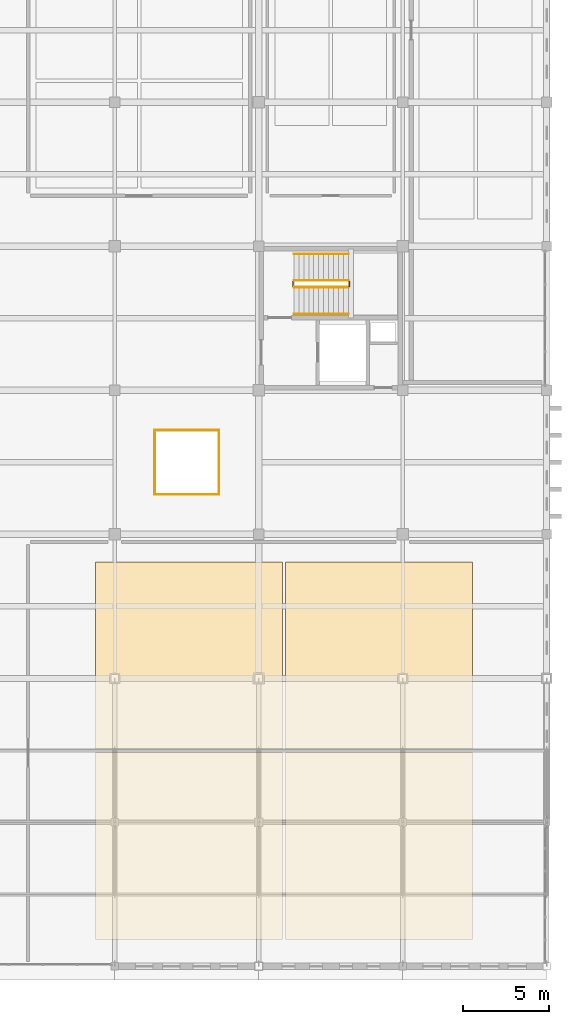
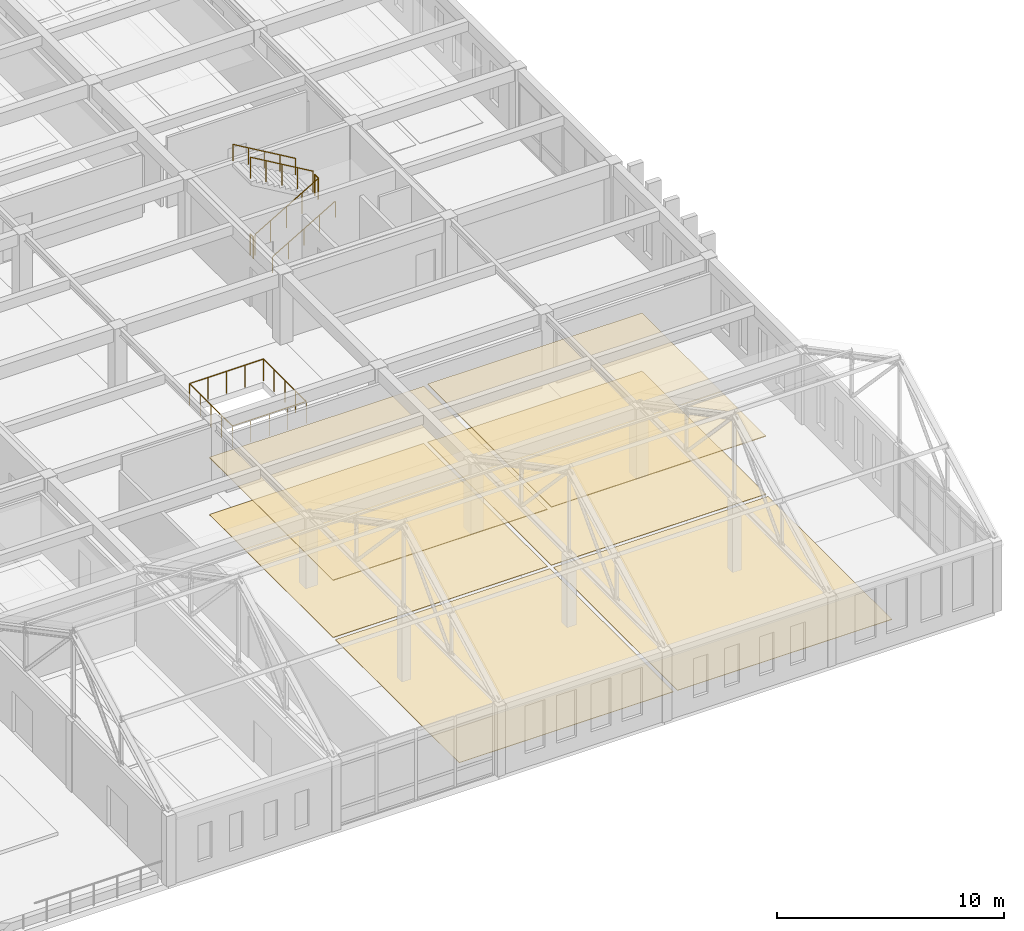
# One storey, part 43 of 47: 10 railings, 6 coverings.
"""IFC4 building model written with IfcOpenShell, lengths in metres."""

import ifcopenshell
import ifcopenshell.guid

model = None  # the IFC model being written
_history = None  # IfcOwnerHistory: only IFC2X3 demands one
_inside = {}  # id of a spatial element -> (the spatial element, [elements in it])
_under = {}  # id of a project, library or spatial element -> (it, [spatial elements below it])
_declared = {}  # id of a project -> (the project, [libraries it declares])
_typed = {}  # id of a type object -> (the type object, [elements of that type])
_made_of = {}  # id of a material, layer set ... -> (it, [elements and type objects made of it])


def new_model(schema):
    """Start an empty IFC model of exactly this schema.

    Asked for "IFC4X3", IfcOpenShell would pick the latest addendum, in which some entities
    have other attributes; the version numbers below select the first issue.
    IFC2X3 requires an IfcOwnerHistory on every rooted entity: one is made here for all.
    """
    global model, _history
    if schema == "IFC4X3":
        model = ifcopenshell.file(schema_version=(4, 3, 0, 0))
    else:
        model = ifcopenshell.file(schema=schema)
    _inside.clear()
    _under.clear()
    _declared.clear()
    _typed.clear()
    _made_of.clear()
    _history = None
    if model.schema == "IFC2X3":
        org = make("IfcOrganization", Name="unknown")
        user = make(
            "IfcPersonAndOrganization",
            ThePerson=make("IfcPerson", FamilyName="unknown"),
            TheOrganization=org,
        )
        app = make(
            "IfcApplication",
            ApplicationDeveloper=org,
            Version="unknown",
            ApplicationFullName="unknown",
            ApplicationIdentifier="unknown",
        )
        _history = make(
            "IfcOwnerHistory",
            OwningUser=user,
            OwningApplication=app,
            ChangeAction="ADDED",
            CreationDate=0,
        )
    return model


def make(cls, **values):
    """One entity of the class cls with the attributes given. An attribute that is None is left unset."""
    return model.create_entity(
        cls, **{name: value for name, value in values.items() if value is not None}
    )


def rooted(cls, **values):
    """An entity with a GlobalId (a new one), such as an element, a storey or a relation."""
    return make(cls, GlobalId=ifcopenshell.guid.new(), OwnerHistory=_history, **values)


def si_unit(unit_type, name, prefix=None):
    """IfcSIUnit, for example si_unit("LENGTHUNIT", "METRE", prefix="MILLI")."""
    return make("IfcSIUnit", UnitType=unit_type, Prefix=prefix, Name=name)


def assignment(units):
    """IfcUnitAssignment: the units of a project."""
    return None if units is None else make("IfcUnitAssignment", Units=units)


def point(xyz):
    """IfcCartesianPoint."""
    return None if xyz is None else make("IfcCartesianPoint", Coordinates=xyz)


def direction(xyz):
    """IfcDirection."""
    return None if xyz is None else make("IfcDirection", DirectionRatios=xyz)


def frame(location, z_axis=None, x_axis=None):
    """IfcAxis2Placement3D, a coordinate frame: its origin and axes. An axis left out is left unset."""
    return make(
        "IfcAxis2Placement3D",
        Location=point(location),
        Axis=direction(z_axis),
        RefDirection=direction(x_axis),
    )


def frame_2d(location, x_axis=None):
    """IfcAxis2Placement2D, a coordinate frame in the plane: its origin and x axis."""
    return make(
        "IfcAxis2Placement2D", Location=point(location), RefDirection=direction(x_axis)
    )


def origin():
    """The frame at (0, 0, 0) with its axes left unset."""
    return frame((0.0, 0.0, 0.0))


def origin_2d():
    """The frame at (0, 0) in the plane with its x axis left unset."""
    return frame_2d((0.0, 0.0))


def place(relative_to, where):
    """IfcLocalPlacement: puts the frame where relative to a parent placement (None: the world)."""
    return make(
        "IfcLocalPlacement", PlacementRelTo=relative_to, RelativePlacement=where
    )


def context(
    kind, dimensions, precision=None, world=None, true_north=None, identifier=None
):
    """IfcGeometricRepresentationContext, for example the 3D "Model" context."""
    return make(
        "IfcGeometricRepresentationContext",
        ContextIdentifier=identifier,
        ContextType=kind,
        CoordinateSpaceDimension=dimensions,
        Precision=precision,
        WorldCoordinateSystem=world,
        TrueNorth=true_north,
    )


def subcontext(parent, identifier, kind, view, scale=None):
    """IfcGeometricRepresentationSubContext, for example "Body" below "Model"."""
    return make(
        "IfcGeometricRepresentationSubContext",
        ContextIdentifier=identifier,
        ContextType=kind,
        ParentContext=parent,
        TargetScale=scale,
        TargetView=view,
    )


def project(units=None, contexts=None):
    """IfcProject with its units and contexts."""
    return rooted(
        "IfcProject",
        Name="project",
        RepresentationContexts=contexts,
        UnitsInContext=assignment(units),
    )


def spatial(cls, under=None, at=None, **own):
    """A site, building, storey or space (cls), placed at a placement, below another one or the project."""
    s = rooted(cls, ObjectPlacement=at, **own)
    if under is not None:
        _under.setdefault(under.id(), (under, []))[1].append(s)
    return s


def profile(cls, at=None, kind="AREA", **sizes):
    """A parametric profile (cls). Its sizes go by their IFC names, for example OverallWidth=200.0."""
    return make(cls, ProfileType=kind, Position=at, **sizes)


def rectangle(**sizes):
    """IfcRectangleProfileDef."""
    return profile("IfcRectangleProfileDef", **sizes)


def circle(**sizes):
    """IfcCircleProfileDef."""
    return profile("IfcCircleProfileDef", **sizes)


def extrude(swept, where, along, depth):
    """IfcExtrudedAreaSolid: the profile swept, set in the frame where, extruded along a direction by depth."""
    return make(
        "IfcExtrudedAreaSolid",
        SweptArea=swept,
        Position=where,
        ExtrudedDirection=direction(along),
        Depth=depth,
    )


def shape(context_of_items, identifier, shape_type, items):
    """IfcShapeRepresentation: the items that make up one representation, for example the "Body"."""
    return make(
        "IfcShapeRepresentation",
        ContextOfItems=context_of_items,
        RepresentationIdentifier=identifier,
        RepresentationType=shape_type,
        Items=items,
    )


def material(Name=None, Category=None):
    """IfcMaterial."""
    return make("IfcMaterial", Name=Name, Category=Category)


def layer(
    of_material, thickness, ventilated=None, Name=None, Category=None, Priority=None
):
    """IfcMaterialLayer: one layer of a wall or slab, of a material (None: an air gap)."""
    return make(
        "IfcMaterialLayer",
        Material=of_material,
        LayerThickness=thickness,
        IsVentilated=ventilated,
        Name=Name,
        Category=Category,
        Priority=Priority,
    )


def layer_set(layers, Name=None):
    """IfcMaterialLayerSet."""
    return make("IfcMaterialLayerSet", MaterialLayers=layers, LayerSetName=Name)


def made_of(thing, what):
    """Note that an element or type object is made of a material, layer set ...; save() writes the relation."""
    if what is not None:
        _made_of.setdefault(what.id(), (what, []))[1].append(thing)
    return thing


def type_object(cls, material=None, **own):
    """A type object (cls), such as IfcWallType, which elements share."""
    return made_of(rooted(cls, **own), material)


def element(
    cls,
    number,
    at=None,
    inside=None,
    cuts=None,
    type_object=None,
    material=None,
    context=None,
    identifier="Body",
    shape_type=None,
    held_by="IfcProductDefinitionShape",
    body=None,
    shapes=None,
    **own,
):
    """One element of the class cls, such as IfcWall. Its Tag is "e" and its number.

    at: its placement. inside: the storey or other place that contains it. cuts: it is an
    opening in that element (IfcRelVoidsElement). A single representation is given by context,
    identifier, shape_type and body (its items); several are given by shapes. held_by: the class
    of the entity that holds the representations. save() writes the other relations.
    """
    e = rooted(cls, Tag="e%d" % number, ObjectPlacement=at, **own)
    if body is not None:
        shapes = [shape(context, identifier, shape_type, body)]
    if shapes is not None:
        e.Representation = make(held_by, Representations=shapes)
    if inside is not None:
        _inside.setdefault(inside.id(), (inside, []))[1].append(e)
    if cuts is not None:
        rooted(
            "IfcRelVoidsElement", RelatingBuildingElement=cuts, RelatedOpeningElement=e
        )
    if type_object is not None:
        _typed.setdefault(type_object.id(), (type_object, []))[1].append(e)
    return made_of(e, material)


def aggregate(whole, parts):
    """IfcRelAggregates: a whole, such as a stair, and the parts it consists of."""
    return rooted("IfcRelAggregates", RelatingObject=whole, RelatedObjects=parts)


def save(model, path):
    """Write the relations noted so far, then the file.

    IfcRelAggregates (storeys below a building ...), IfcRelContainedInSpatialStructure (elements
    in a storey), IfcRelDefinesByType, IfcRelAssociatesMaterial and IfcRelDeclares: one each for
    every whole, place, type object, material and project.
    """
    for whole, parts in _under.values():
        aggregate(whole, parts)
    for where, things in _inside.values():
        rooted(
            "IfcRelContainedInSpatialStructure",
            RelatedElements=things,
            RelatingStructure=where,
        )
    for kind, things in _typed.values():
        rooted("IfcRelDefinesByType", RelatedObjects=things, RelatingType=kind)
    for what, things in _made_of.values():
        rooted("IfcRelAssociatesMaterial", RelatedObjects=things, RelatingMaterial=what)
    for by, libraries in _declared.values():
        rooted("IfcRelDeclares", RelatingContext=by, RelatedDefinitions=libraries)
    model.write(path)


model = new_model("IFC4")

# Units and contexts
model_context = context("Model", 3, precision=1e-05, world=origin(), true_north=direction((0.0, 1.0)))
body_context = subcontext(model_context, "Body", "Model", "MODEL_VIEW")
ifc_project = project(units=[si_unit("LENGTHUNIT", "METRE"), si_unit("AREAUNIT", "SQUARE_METRE"), si_unit("VOLUMEUNIT", "CUBIC_METRE"), si_unit("PLANEANGLEUNIT", "RADIAN"), si_unit("MASSUNIT", "GRAM", prefix="KILO")], contexts=[model_context])

# Site, building, storey
site_placement = place(None, origin())
site = spatial("IfcSite", under=ifc_project, at=site_placement, CompositionType="ELEMENT")
building_placement = place(site_placement, origin())
building = spatial("IfcBuilding", under=site, at=building_placement, Name="Kveldsbrygga Polytechnic", CompositionType="ELEMENT")
storey_placement = place(building_placement, frame((0.0, 0.0, 13.93994140625)))
storey = spatial("IfcBuildingStorey", under=building, at=storey_placement, Name="L03", CompositionType="ELEMENT", Elevation=13.93994140625)

# Coverings
ifc_material_1 = material(Name="Acoustic oak timber slat ceiling", Category="wood")
ifc_layer_1 = layer(ifc_material_1, 0.0400390625)
ifc_layer_set_1 = layer_set([ifc_layer_1], Name="Acoustic oak timber slat ceiling")
covering_type_1 = type_object("IfcCoveringType", Name="COV-CEIL-WD40", PredefinedType="CEILING", material=ifc_layer_set_1)
for number, where, z_axis, x_axis, name in (
    (1, (147.125, 18.125, 3.06005859375), (0.0, 0.0, 1.0), (1.0, 0.0, 0.0), "Acoustic Ceiling SP-L03-LIB2-WN"),
    (2, (158.22509765625, 18.125, 3.110107421875), (0.0, 0.0, 1.0), (1.0, 0.0, 0.0), "Acoustic Ceiling SP-L03-LIB2-EN"),
):
    element("IfcCovering", number, at=place(storey_placement, frame(where, z_axis=z_axis, x_axis=x_axis)), inside=storey, type_object=covering_type_1, Name=name, PredefinedType="CEILING", context=body_context, shape_type="SweptSolid", body=[
        extrude(rectangle(XDim=10.89990234375, YDim=10.89990234375, at=origin_2d()), origin(), (0.0, 0.0, 1.0), 0.0400390625),
    ])
ifc_material_2 = material(Name="Acoustic oak timber flooring", Category="wood")
ifc_layer_2 = layer(ifc_material_2, 0.02197265625)
ifc_layer_set_2 = layer_set([ifc_layer_2], Name="Acoustic oak timber flooring")
covering_type_2 = type_object("IfcCoveringType", Name="COV-FLR-OAK22", PredefinedType="FLOORING", material=ifc_layer_set_2)
for number, where, z_axis, x_axis, name in (
    (3, (147.125, 7.02490234375, 0.0), (0.0, 0.0, 1.0), (1.0, 0.0, 0.0), "Room Flooring SP-L03-LIB2-WS"),
    (4, (147.125, 18.125, 0.0), (0.0, 0.0, 1.0), (1.0, 0.0, 0.0), "Room Flooring SP-L03-LIB2-WN"),
    (5, (158.22509765625, 7.02490234375, 0.0), (0.0, 0.0, 1.0), (1.0, 0.0, 0.0), "Room Flooring SP-L03-LIB2-ES"),
    (6, (158.22509765625, 18.125, 0.0), (0.0, 0.0, 1.0), (1.0, 0.0, 0.0), "Room Flooring SP-L03-LIB2-EN"),
):
    element("IfcCovering", number, at=place(storey_placement, frame(where, z_axis=z_axis, x_axis=x_axis)), inside=storey, type_object=covering_type_2, Name=name, PredefinedType="FLOORING", context=body_context, shape_type="SweptSolid", body=[
        extrude(rectangle(XDim=10.89990234375, YDim=10.89990234375, at=origin_2d()), origin(), (0.0, 0.0, 1.0), 0.02197265625),
    ])

# Railings
ifc_material_3 = material(Name="Steel S355", Category="steel")
railing_type_1 = type_object("IfcRailingType", Name="RL-STAIR-GRD", PredefinedType="GUARDRAIL", material=ifc_material_3)
railing_1_placement = place(storey_placement, frame((153.25, 39.60009765625, 0.170166015625)))
element("IfcRailing", 7, at=railing_1_placement, inside=storey, type_object=railing_type_1, Name="L03 ST-3 stair guard 1", PredefinedType="GUARDRAIL", context=body_context, shape_type="SweptSolid", body=[
    extrude(circle(Radius=0.02392578125, at=origin_2d()), frame((0.0, 0.0, 1.1259765625), z_axis=(0.86270889649, 0.0, 0.505700860111), x_axis=(0.0, 1.0, 0.0)), (0.0, 0.0, 1.0), 3.697509765625),
    extrude(circle(Radius=0.02099609375, at=origin_2d()), origin(), (0.0, 0.0, 1.0), 1.097900390625),
    extrude(circle(Radius=0.02099609375, at=origin_2d()), frame((0.79736328125, 0.0, 0.467529296875)), (0.0, 0.0, 1.0), 1.097900390625),
    extrude(circle(Radius=0.02099609375, at=origin_2d()), frame((1.594970703125, 0.0, 0.93505859375)), (0.0, 0.0, 1.0), 1.097900390625),
    extrude(circle(Radius=0.02099609375, at=origin_2d()), frame((2.392578125, 0.0, 1.40234375)), (0.0, 0.0, 1.0), 1.097900390625),
    extrude(circle(Radius=0.02099609375, at=origin_2d()), frame((3.18994140625, 0.0, 1.869873046875)), (0.0, 0.0, 1.0), 1.097900390625),
])
railing_2_placement = place(storey_placement, frame((156.489990234375, 39.64990234375, 2.0400390625)))
element("IfcRailing", 8, at=railing_2_placement, inside=storey, type_object=railing_type_1, Name="L03 ST-3 stair guard 2", PredefinedType="GUARDRAIL", context=body_context, shape_type="SweptSolid", body=[
    extrude(circle(Radius=0.02392578125, at=origin_2d()), frame((0.0, 0.0, 1.1259765625), z_axis=(0.0, 1.0, 0.0), x_axis=(-1.0, 0.0, 0.0)), (0.0, 0.0, 1.0), 0.300048828125),
    extrude(circle(Radius=0.02099609375, at=origin_2d()), origin(), (0.0, 0.0, 1.0), 1.097900390625),
    extrude(circle(Radius=0.02099609375, at=origin_2d()), frame((0.0, 0.300048828125, 0.0)), (0.0, 0.0, 1.0), 1.097900390625),
])
railing_3_placement = place(storey_placement, frame((156.43994140625, 40.0, 2.2099609375)))
element("IfcRailing", 9, at=railing_3_placement, inside=storey, type_object=railing_type_1, Name="L03 ST-3 stair guard 3", PredefinedType="GUARDRAIL", context=body_context, shape_type="SweptSolid", body=[
    extrude(circle(Radius=0.02392578125, at=origin_2d()), frame((0.0, 0.0, 1.1259765625), z_axis=(-0.862680090275, 0.0, 0.50574999935), x_axis=(0.0, -1.0, 0.0)), (0.0, 0.0, 1.0), 3.69775390625),
    extrude(circle(Radius=0.02099609375, at=origin_2d()), origin(), (0.0, 0.0, 1.0), 1.097900390625),
    extrude(circle(Radius=0.02099609375, at=origin_2d()), frame((-0.79736328125, 0.0, 0.467529296875)), (0.0, 0.0, 1.0), 1.097900390625),
    extrude(circle(Radius=0.02099609375, at=origin_2d()), frame((-1.594970703125, 0.0, 0.93505859375)), (0.0, 0.0, 1.0), 1.097900390625),
    extrude(circle(Radius=0.02099609375, at=origin_2d()), frame((-2.392578125, 0.0, 1.402587890625)), (0.0, 0.0, 1.0), 1.097900390625),
    extrude(circle(Radius=0.02099609375, at=origin_2d()), frame((-3.18994140625, 0.0, 1.8701171875)), (0.0, 0.0, 1.0), 1.097900390625),
])
railing_4_placement = place(storey_placement, frame((153.199951171875, 39.64990234375, 0.0)))
element("IfcRailing", 10, at=railing_4_placement, inside=storey, type_object=railing_type_1, Name="L03 ST-3 stair guard 4", PredefinedType="GUARDRAIL", context=body_context, shape_type="SweptSolid", body=[
    extrude(circle(Radius=0.02392578125, at=origin_2d()), frame((0.0, 0.0, 1.1259765625), z_axis=(0.0, 1.0, 0.0), x_axis=(-1.0, 0.0, 0.0)), (0.0, 0.0, 1.0), 0.300048828125),
    extrude(circle(Radius=0.02099609375, at=origin_2d()), origin(), (0.0, 0.0, 1.0), 1.097900390625),
    extrude(circle(Radius=0.02099609375, at=origin_2d()), frame((0.0, 0.300048828125, 0.0)), (0.0, 0.0, 1.0), 1.097900390625),
])
railing_type_2 = type_object("IfcRailingType", Name="RL-STAIR-HND", PredefinedType="HANDRAIL", material=ifc_material_3)
railing_5_placement = place(storey_placement, frame((153.25, 38.050048828125, 0.170166015625)))
element("IfcRailing", 11, at=railing_5_placement, inside=storey, type_object=railing_type_2, Name="L03 ST-3 stair handrail 1", PredefinedType="HANDRAIL", context=body_context, shape_type="SweptSolid", body=[
    extrude(circle(Radius=0.02392578125, at=origin_2d()), frame((0.0, 0.0, 0.8759765625), z_axis=(0.86270889649, 0.0, 0.505700860111), x_axis=(0.0, 1.0, 0.0)), (0.0, 0.0, 1.0), 3.697509765625),
    extrude(circle(Radius=0.02099609375, at=origin_2d()), origin(), (0.0, 0.0, 1.0), 0.847900390625),
    extrude(circle(Radius=0.02099609375, at=origin_2d()), frame((0.79736328125, 0.0, 0.467529296875)), (0.0, 0.0, 1.0), 0.847900390625),
    extrude(circle(Radius=0.02099609375, at=origin_2d()), frame((1.594970703125, 0.0, 0.93505859375)), (0.0, 0.0, 1.0), 0.847900390625),
    extrude(circle(Radius=0.02099609375, at=origin_2d()), frame((2.392578125, 0.0, 1.40234375)), (0.0, 0.0, 1.0), 0.847900390625),
    extrude(circle(Radius=0.02099609375, at=origin_2d()), frame((3.18994140625, 0.0, 1.869873046875)), (0.0, 0.0, 1.0), 0.847900390625),
])
railing_6_placement = place(storey_placement, frame((156.43994140625, 41.550048828125, 2.2099609375)))
element("IfcRailing", 12, at=railing_6_placement, inside=storey, type_object=railing_type_2, Name="L03 ST-3 stair handrail 2", PredefinedType="HANDRAIL", context=body_context, shape_type="SweptSolid", body=[
    extrude(circle(Radius=0.02392578125, at=origin_2d()), frame((0.0, 0.0, 0.8759765625), z_axis=(-0.862680090275, 0.0, 0.50574999935), x_axis=(0.0, -1.0, 0.0)), (0.0, 0.0, 1.0), 3.69775390625),
    extrude(circle(Radius=0.02099609375, at=origin_2d()), origin(), (0.0, 0.0, 1.0), 0.847900390625),
    extrude(circle(Radius=0.02099609375, at=origin_2d()), frame((-0.79736328125, 0.0, 0.467529296875)), (0.0, 0.0, 1.0), 0.847900390625),
    extrude(circle(Radius=0.02099609375, at=origin_2d()), frame((-1.594970703125, 0.0, 0.93505859375)), (0.0, 0.0, 1.0), 0.847900390625),
    extrude(circle(Radius=0.02099609375, at=origin_2d()), frame((-2.392578125, 0.0, 1.402587890625)), (0.0, 0.0, 1.0), 0.847900390625),
    extrude(circle(Radius=0.02099609375, at=origin_2d()), frame((-3.18994140625, 0.0, 1.8701171875)), (0.0, 0.0, 1.0), 0.847900390625),
])
railing_type_3 = type_object("IfcRailingType", Name="RL-VOID-GRD", PredefinedType="GUARDRAIL", material=ifc_material_3)
railing_7_placement = place(storey_placement, frame((145.1201171875, 27.52001953125, 0.0)))
element("IfcRailing", 13, at=railing_7_placement, inside=storey, type_object=railing_type_3, Name="Atrium Well Guard GRD-L03-WELL-3-S", PredefinedType="GUARDRAIL", context=body_context, shape_type="SweptSolid", body=[
    extrude(circle(Radius=0.02392578125, at=origin_2d()), frame((0.0, 0.0, 1.17578125), z_axis=(1.0, 0.0, 0.0), x_axis=(0.0, 1.0, 0.0)), (0.0, 0.0, 1.0), 3.759765625),
    extrude(circle(Radius=0.02099609375, at=origin_2d()), origin(), (0.0, 0.0, 1.0), 1.14794921875),
    extrude(circle(Radius=0.02099609375, at=origin_2d()), frame((0.93994140625, 0.0, 0.0)), (0.0, 0.0, 1.0), 1.14794921875),
    extrude(circle(Radius=0.02099609375, at=origin_2d()), frame((1.8798828125, 0.0, 0.0)), (0.0, 0.0, 1.0), 1.14794921875),
    extrude(circle(Radius=0.02099609375, at=origin_2d()), frame((2.81982421875, 0.0, 0.0)), (0.0, 0.0, 1.0), 1.14794921875),
    extrude(circle(Radius=0.02099609375, at=origin_2d()), frame((3.759765625, 0.0, 0.0)), (0.0, 0.0, 1.0), 1.14794921875),
])
railing_8_placement = place(storey_placement, frame((148.8798828125, 27.52001953125, 0.0)))
element("IfcRailing", 14, at=railing_8_placement, inside=storey, type_object=railing_type_3, Name="Atrium Well Guard GRD-L03-WELL-3-E", PredefinedType="GUARDRAIL", context=body_context, shape_type="SweptSolid", body=[
    extrude(circle(Radius=0.02392578125, at=origin_2d()), frame((0.0, 0.0, 1.17578125), z_axis=(0.0, 1.0, 0.0), x_axis=(-1.0, 0.0, 0.0)), (0.0, 0.0, 1.0), 3.760009765625),
    extrude(circle(Radius=0.02099609375, at=origin_2d()), origin(), (0.0, 0.0, 1.0), 1.14794921875),
    extrude(circle(Radius=0.02099609375, at=origin_2d()), frame((0.0, 0.93994140625, 0.0)), (0.0, 0.0, 1.0), 1.14794921875),
    extrude(circle(Radius=0.02099609375, at=origin_2d()), frame((0.0, 1.8798828125, 0.0)), (0.0, 0.0, 1.0), 1.14794921875),
    extrude(circle(Radius=0.02099609375, at=origin_2d()), frame((0.0, 2.820068359375, 0.0)), (0.0, 0.0, 1.0), 1.14794921875),
    extrude(circle(Radius=0.02099609375, at=origin_2d()), frame((0.0, 3.760009765625, 0.0)), (0.0, 0.0, 1.0), 1.14794921875),
])
railing_9_placement = place(storey_placement, frame((148.8798828125, 31.280029296875, 0.0)))
element("IfcRailing", 15, at=railing_9_placement, inside=storey, type_object=railing_type_3, Name="Atrium Well Guard GRD-L03-WELL-3-N", PredefinedType="GUARDRAIL", context=body_context, shape_type="SweptSolid", body=[
    extrude(circle(Radius=0.02392578125, at=origin_2d()), frame((0.0, 0.0, 1.17578125), z_axis=(-1.0, 0.0, 0.0), x_axis=(0.0, -1.0, 0.0)), (0.0, 0.0, 1.0), 3.759765625),
    extrude(circle(Radius=0.02099609375, at=origin_2d()), origin(), (0.0, 0.0, 1.0), 1.14794921875),
    extrude(circle(Radius=0.02099609375, at=origin_2d()), frame((-0.93994140625, 0.0, 0.0)), (0.0, 0.0, 1.0), 1.14794921875),
    extrude(circle(Radius=0.02099609375, at=origin_2d()), frame((-1.8798828125, 0.0, 0.0)), (0.0, 0.0, 1.0), 1.14794921875),
    extrude(circle(Radius=0.02099609375, at=origin_2d()), frame((-2.81982421875, 0.0, 0.0)), (0.0, 0.0, 1.0), 1.14794921875),
    extrude(circle(Radius=0.02099609375, at=origin_2d()), frame((-3.759765625, 0.0, 0.0)), (0.0, 0.0, 1.0), 1.14794921875),
])
railing_10_placement = place(storey_placement, frame((145.1201171875, 31.280029296875, 0.0)))
element("IfcRailing", 16, at=railing_10_placement, inside=storey, type_object=railing_type_3, Name="Atrium Well Guard GRD-L03-WELL-3-W", PredefinedType="GUARDRAIL", context=body_context, shape_type="SweptSolid", body=[
    extrude(circle(Radius=0.02392578125, at=origin_2d()), frame((0.0, 0.0, 1.17578125), z_axis=(0.0, -1.0, 0.0), x_axis=(1.0, 0.0, 0.0)), (0.0, 0.0, 1.0), 3.760009765625),
    extrude(circle(Radius=0.02099609375, at=origin_2d()), origin(), (0.0, 0.0, 1.0), 1.14794921875),
    extrude(circle(Radius=0.02099609375, at=origin_2d()), frame((0.0, -0.93994140625, 0.0)), (0.0, 0.0, 1.0), 1.14794921875),
    extrude(circle(Radius=0.02099609375, at=origin_2d()), frame((0.0, -1.8798828125, 0.0)), (0.0, 0.0, 1.0), 1.14794921875),
    extrude(circle(Radius=0.02099609375, at=origin_2d()), frame((0.0, -2.820068359375, 0.0)), (0.0, 0.0, 1.0), 1.14794921875),
    extrude(circle(Radius=0.02099609375, at=origin_2d()), frame((0.0, -3.760009765625, 0.0)), (0.0, 0.0, 1.0), 1.14794921875),
])

save(model, "model.ifc")
